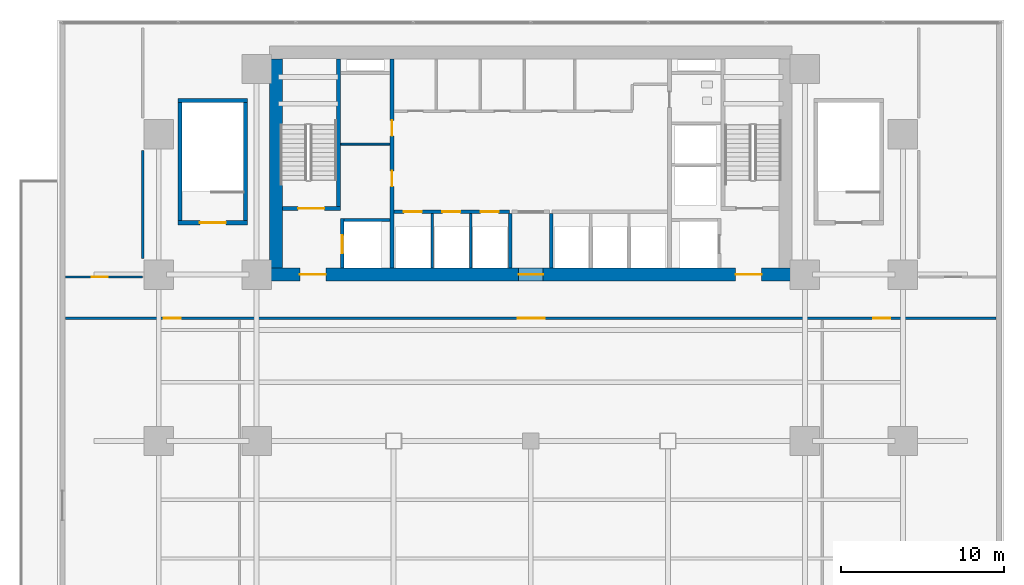
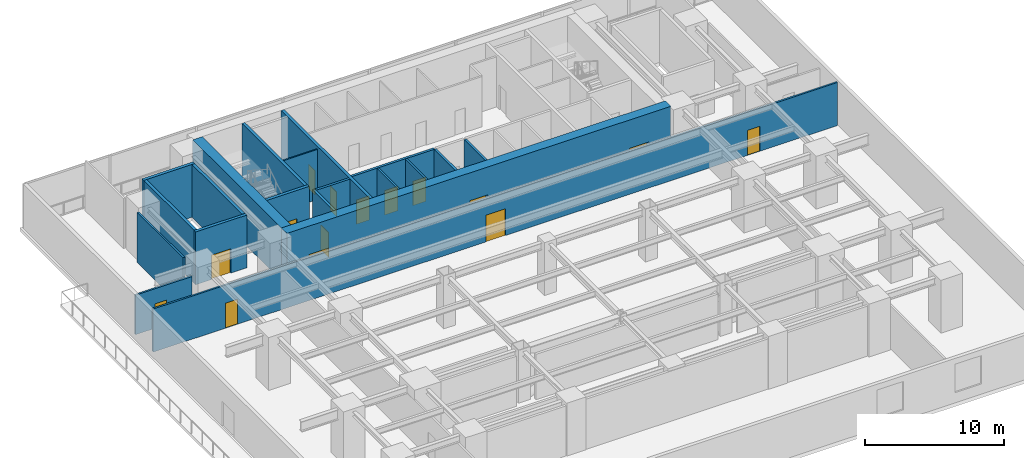
# One storey, part 9 of 15: 20 walls, 15 doors, 15 openings.
"""IFC4 building model written with IfcOpenShell, lengths in metres."""

from ifc_helpers import new_model, si_unit, direction, frame, frame_2d, origin, place, context, subcontext, project, spatial, rectangle, extrude, source, transform, mapped, material, layer, layer_set, type_object, element, fill, save


model = new_model("IFC4")

# Units and contexts
model_context = context("Model", 3, precision=1e-05, world=origin(), true_north=direction((0.0, 1.0)))
body_context = subcontext(model_context, "Body", "Model", "MODEL_VIEW")
ifc_project = project(units=[si_unit("LENGTHUNIT", "METRE"), si_unit("AREAUNIT", "SQUARE_METRE"), si_unit("VOLUMEUNIT", "CUBIC_METRE"), si_unit("PLANEANGLEUNIT", "RADIAN"), si_unit("MASSUNIT", "GRAM", prefix="KILO")], contexts=[model_context])

# Site, building, storey
site_placement = place(None, origin())
site = spatial("IfcSite", under=ifc_project, at=site_placement, CompositionType="ELEMENT")
building_placement = place(site_placement, origin())
building = spatial("IfcBuilding", under=site, at=building_placement, Name="Sumidabori Civic Tower", CompositionType="ELEMENT")
storey_placement = place(building_placement, frame((0.0, 0.0, 18.949951171875)))
storey = spatial("IfcBuildingStorey", under=building, at=storey_placement, Name="L04", CompositionType="ELEMENT", Elevation=18.949951171875)

# Wall, openings, doors
ifc_material_1 = material(Name="Concrete C60/75", Category="concrete")
ifc_layer_1 = layer(ifc_material_1, 0.800048828125, Name="Concrete C60/75")
ifc_layer_set_1 = layer_set([ifc_layer_1], Name="Concrete C60/75")
wall_type_1 = type_object("IfcWallType", Name="WL-CORE-800", PredefinedType="SHEAR", material=ifc_layer_set_1)
shared_shape_1 = source(origin(), body_context, "Body", "SweptSolid", [
    extrude(rectangle(XDim=32.0, YDim=0.800048828125, at=frame_2d((16.0, 0.0))), origin(), (0.0, 0.0, 1.0), 4.650146484375),
])
wall_1_placement = place(storey_placement, frame((-16.0, 10.199951171875, 0.0), z_axis=(0.0, 0.0, 1.0), x_axis=(1.0, 0.0, 0.0)))
wall_1 = element("IfcWall", 1, at=wall_1_placement, inside=storey, type_object=wall_type_1, Name="Core Shear Wall L04 S", PredefinedType="SHEAR", context=body_context, shape_type="MappedRepresentation", body=[
    mapped(shared_shape_1, transform((0.0, 0.0, 0.0), x_axis=(1.0, 0.0, 0.0), y_axis=(0.0, 1.0, 0.0), z_axis=(0.0, 0.0, 1.0), scale=1.0)),
])
opening_1_placement = place(wall_1_placement, frame((1.85009765625, 0.0, 0.0)))
opening_1 = element("IfcOpeningElement", 2, at=opening_1_placement, cuts=wall_1, Name="Opening DR-FD4", PredefinedType="OPENING", context=body_context, shape_type="SweptSolid", body=[
    extrude(rectangle(XDim=1.60009765625, YDim=2.14990234375, at=frame_2d((0.800048828125, 1.074951171875))), frame((0.0, 0.412109375, 0.0), z_axis=(0.0, -1.0, 0.0), x_axis=(1.0, 0.0, 0.0)), (0.0, 0.0, 1.0), 0.823974609375),
])
opening_2_placement = place(wall_1_placement, frame((28.550048828125, 0.0, 0.0)))
opening_2 = element("IfcOpeningElement", 3, at=opening_2_placement, cuts=wall_1, Name="Opening DR-FD4", PredefinedType="OPENING", context=body_context, shape_type="SweptSolid", body=[
    extrude(rectangle(XDim=1.60009765625, YDim=2.14990234375, at=frame_2d((0.800048828125, 1.074951171875))), frame((0.0, 0.412109375, 0.0), z_axis=(0.0, -1.0, 0.0), x_axis=(1.0, 0.0, 0.0)), (0.0, 0.0, 1.0), 0.823974609375),
])
opening_3_placement = place(wall_1_placement, frame((15.25, 0.0, 0.0)))
opening_3 = element("IfcOpeningElement", 4, at=opening_3_placement, cuts=wall_1, Name="Opening DR-FD3", PredefinedType="OPENING", context=body_context, shape_type="SweptSolid", body=[
    extrude(rectangle(XDim=1.5, YDim=2.199951171875, at=frame_2d((0.75, 1.10009765625))), frame((0.0, 0.412109375, 0.0), z_axis=(0.0, -1.0, 0.0), x_axis=(1.0, 0.0, 0.0)), (0.0, 0.0, 1.0), 0.823974609375),
])
ifc_material_2 = material(Name="Steel SN490", Category="steel")
door_type_1 = type_object("IfcDoorType", Name="DR-FD4", OperationType="DOUBLE_DOOR_SINGLE_SWING", PredefinedType="DOOR", material=ifc_material_2)
shared_shape_2 = source(origin(), body_context, "Body", "SweptSolid", [
    extrude(rectangle(XDim=1.60009765625, YDim=2.14990234375, at=frame_2d((0.800048828125, 1.074951171875))), frame((0.0, 0.02490234375, 0.0), z_axis=(0.0, -1.0, 0.0), x_axis=(1.0, 0.0, 0.0)), (0.0, 0.0, 1.0), 0.050048828125),
])
door_1_placement = place(opening_1_placement, origin())
door_1 = element("IfcDoor", 5, at=door_1_placement, inside=storey, type_object=door_type_1, Name="Door DR:L04:ELOB-W", OperationType="DOUBLE_DOOR_SINGLE_SWING", OverallHeight=2.14990234375, OverallWidth=1.60009765625, PredefinedType="DOOR", context=body_context, shape_type="MappedRepresentation", body=[
    mapped(shared_shape_2, transform((0.0, 0.0, 0.0), x_axis=(1.0, 0.0, 0.0), y_axis=(0.0, 1.0, 0.0), z_axis=(0.0, 0.0, 1.0), scale=1.0)),
])
fill(opening_1, door_1)
door_2_placement = place(opening_2_placement, origin())
door_2 = element("IfcDoor", 6, at=door_2_placement, inside=storey, type_object=door_type_1, Name="Door DR:L04:ELOB-E", OperationType="DOUBLE_DOOR_SINGLE_SWING", OverallHeight=2.14990234375, OverallWidth=1.60009765625, PredefinedType="DOOR", context=body_context, shape_type="MappedRepresentation", body=[
    mapped(shared_shape_2, transform((0.0, 0.0, 0.0), x_axis=(1.0, 0.0, 0.0), y_axis=(0.0, 1.0, 0.0), z_axis=(0.0, 0.0, 1.0), scale=1.0)),
])
fill(opening_2, door_2)
door_type_2 = type_object("IfcDoorType", Name="DR-FD-DBL", OperationType="DOUBLE_DOOR_SINGLE_SWING", PredefinedType="DOOR", material=ifc_material_2)
shared_shape_3 = source(origin(), body_context, "Body", "SweptSolid", [
    extrude(rectangle(XDim=1.5, YDim=2.199951171875, at=frame_2d((0.75, 1.10009765625))), frame((0.0, 0.02490234375, 0.0), z_axis=(0.0, -1.0, 0.0), x_axis=(1.0, 0.0, 0.0)), (0.0, 0.0, 1.0), 0.050048828125),
])
door_3_placement = place(opening_3_placement, origin())
door_3 = element("IfcDoor", 7, at=door_3_placement, inside=storey, type_object=door_type_2, Name="Door DR:L04:THROAT-OUT", OperationType="DOUBLE_DOOR_SINGLE_SWING", OverallHeight=2.199951171875, OverallWidth=1.5, PredefinedType="DOOR", context=body_context, shape_type="MappedRepresentation", body=[
    mapped(shared_shape_3, transform((0.0, 0.0, 0.0), x_axis=(1.0, 0.0, 0.0), y_axis=(0.0, 1.0, 0.0), z_axis=(0.0, 0.0, 1.0), scale=1.0)),
])
fill(opening_3, door_3)

# Wall
shared_shape_4 = source(origin(), body_context, "Body", "SweptSolid", [
    extrude(rectangle(XDim=12.7998046875, YDim=0.800048828125, at=frame_2d((6.39990234375, 0.0))), origin(), (0.0, 0.0, 1.0), 4.650146484375),
])
wall_2_placement = place(storey_placement, frame((-15.60009765625, 10.60009765625, 0.0), z_axis=(0.0, 0.0, 1.0), x_axis=(0.0, 1.0, 0.0)))
element("IfcWall", 8, at=wall_2_placement, inside=storey, type_object=wall_type_1, Name="Core Shear Wall L04 W", PredefinedType="SHEAR", context=body_context, shape_type="MappedRepresentation", body=[
    mapped(shared_shape_4, transform((0.0, 0.0, 0.0), x_axis=(1.0, 0.0, 0.0), y_axis=(0.0, 1.0, 0.0), z_axis=(0.0, 0.0, 1.0), scale=1.0)),
])

# Wall, openings, doors
ifc_material_3 = material(Name="Concrete C50/60", Category="concrete")
ifc_layer_2 = layer(ifc_material_3, 0.25, Name="Concrete C50/60")
ifc_layer_set_2 = layer_set([ifc_layer_2], Name="Concrete C50/60")
wall_type_2 = type_object("IfcWallType", Name="WL-SHAFT-250", PredefinedType="SHEAR", material=ifc_layer_set_2)
shared_shape_5 = source(origin(), body_context, "Body", "SweptSolid", [
    extrude(rectangle(XDim=12.7998046875, YDim=0.25, at=frame_2d((6.39990234375, 0.0))), origin(), (0.0, 0.0, 1.0), 4.650146484375),
])
wall_3_placement = place(storey_placement, frame((-8.5, 10.60009765625, 0.0), z_axis=(0.0, 0.0, 1.0), x_axis=(0.0, 1.0, 0.0)))
wall_3 = element("IfcWall", 9, at=wall_3_placement, inside=storey, type_object=wall_type_2, Name="Core Shear Wall L04 WEB-W", PredefinedType="SHEAR", context=body_context, shape_type="MappedRepresentation", body=[
    mapped(shared_shape_5, transform((0.0, 0.0, 0.0), x_axis=(1.0, 0.0, 0.0), y_axis=(0.0, 1.0, 0.0), z_axis=(0.0, 0.0, 1.0), scale=1.0)),
])
opening_4_placement = place(wall_3_placement, frame((5.0, 0.0, 0.0)))
opening_4 = element("IfcOpeningElement", 10, at=opening_4_placement, cuts=wall_3, Name="Opening DR-FD2", PredefinedType="OPENING", context=body_context, shape_type="SweptSolid", body=[
    extrude(rectangle(XDim=0.949951171875, YDim=2.14990234375, at=frame_2d((0.47509765625, 1.074951171875))), frame((0.0, 0.136962890625, 0.0), z_axis=(0.0, -1.0, 0.0), x_axis=(1.0, 0.0, 0.0)), (0.0, 0.0, 1.0), 0.27392578125),
])
opening_5_placement = place(wall_3_placement, frame((8.10009765625, 0.0, 0.0)))
opening_5 = element("IfcOpeningElement", 11, at=opening_5_placement, cuts=wall_3, Name="Opening DR-FD2", PredefinedType="OPENING", context=body_context, shape_type="SweptSolid", body=[
    extrude(rectangle(XDim=0.949951171875, YDim=2.14990234375, at=frame_2d((0.47509765625, 1.074951171875))), frame((0.0, 0.136962890625, 0.0), z_axis=(0.0, -1.0, 0.0), x_axis=(1.0, 0.0, 0.0)), (0.0, 0.0, 1.0), 0.27392578125),
])
door_type_3 = type_object("IfcDoorType", Name="DR-FD2", OperationType="NOTDEFINED", PredefinedType="DOOR", material=ifc_material_2)
shared_shape_6 = source(origin(), body_context, "Body", "SweptSolid", [
    extrude(rectangle(XDim=0.949951171875, YDim=2.14990234375, at=frame_2d((0.47509765625, 1.074951171875))), frame((0.0, 0.02490234375, 0.0), z_axis=(0.0, -1.0, 0.0), x_axis=(1.0, 0.0, 0.0)), (0.0, 0.0, 1.0), 0.050048828125),
])
door_4_placement = place(opening_4_placement, origin())
door_4 = element("IfcDoor", 12, at=door_4_placement, inside=storey, type_object=door_type_3, Name="Door DR:L04:CW-S1", OperationType="SINGLE_SWING_LEFT", OverallHeight=2.14990234375, OverallWidth=0.949951171875, PredefinedType="DOOR", context=body_context, shape_type="MappedRepresentation", body=[
    mapped(shared_shape_6, transform((0.0, 0.0, 0.0), x_axis=(1.0, 0.0, 0.0), y_axis=(0.0, 1.0, 0.0), z_axis=(0.0, 0.0, 1.0), scale=1.0)),
])
fill(opening_4, door_4)
door_5_placement = place(opening_5_placement, origin())
door_5 = element("IfcDoor", 13, at=door_5_placement, inside=storey, type_object=door_type_3, Name="Door DR:L04:CW-S2", OperationType="SINGLE_SWING_RIGHT", OverallHeight=2.14990234375, OverallWidth=0.949951171875, PredefinedType="DOOR", context=body_context, shape_type="MappedRepresentation", body=[
    mapped(shared_shape_6, transform((0.0, 0.0, 0.0), x_axis=(1.0, 0.0, 0.0), y_axis=(0.0, 1.0, 0.0), z_axis=(0.0, 0.0, 1.0), scale=1.0)),
])
fill(opening_5, door_5)

# Wall, opening, door
shared_shape_7 = source(origin(), body_context, "Body", "SweptSolid", [
    extrude(rectangle(XDim=3.554931640625, YDim=0.25, at=frame_2d((1.77734375, 0.0))), origin(), (0.0, 0.0, 1.0), 4.650146484375),
])
wall_4_placement = place(storey_placement, frame((-15.199951171875, 14.25, 0.0), z_axis=(0.0, 0.0, 1.0), x_axis=(1.0, 0.0, 0.0)))
wall_4 = element("IfcWall", 14, at=wall_4_placement, inside=storey, type_object=wall_type_2, Name="Core Shear Wall L04 ST1-S", PredefinedType="SHEAR", context=body_context, shape_type="MappedRepresentation", body=[
    mapped(shared_shape_7, transform((0.0, 0.0, 0.0), x_axis=(1.0, 0.0, 0.0), y_axis=(0.0, 1.0, 0.0), z_axis=(0.0, 0.0, 1.0), scale=1.0)),
])
opening_6_placement = place(wall_4_placement, frame((0.949951171875, 0.0, 0.0)))
opening_6 = element("IfcOpeningElement", 15, at=opening_6_placement, cuts=wall_4, Name="Opening DR-FD4", PredefinedType="OPENING", context=body_context, shape_type="SweptSolid", body=[
    extrude(rectangle(XDim=1.60009765625, YDim=2.14990234375, at=frame_2d((0.800048828125, 1.074951171875))), frame((0.0, 0.136962890625, 0.0), z_axis=(0.0, -1.0, 0.0), x_axis=(1.0, 0.0, 0.0)), (0.0, 0.0, 1.0), 0.27392578125),
])
door_6_placement = place(opening_6_placement, origin())
door_6 = element("IfcDoor", 16, at=door_6_placement, inside=storey, type_object=door_type_1, Name="Door DR:L04:ST1", OperationType="DOUBLE_DOOR_SINGLE_SWING", OverallHeight=2.14990234375, OverallWidth=1.60009765625, PredefinedType="DOOR", context=body_context, shape_type="MappedRepresentation", body=[
    mapped(shared_shape_2, transform((0.0, 0.0, 0.0), x_axis=(1.0, 0.0, 0.0), y_axis=(0.0, 1.0, 0.0), z_axis=(0.0, 0.0, 1.0), scale=1.0)),
])
fill(opening_6, door_6)

# Wall
shared_shape_8 = source(origin(), body_context, "Body", "SweptSolid", [
    extrude(rectangle(XDim=9.02490234375, YDim=0.25, at=frame_2d((4.512451171875, 0.0))), origin(), (0.0, 0.0, 1.0), 4.650146484375),
])
wall_5_placement = place(storey_placement, frame((-11.77001953125, 14.375, 0.0), z_axis=(0.0, 0.0, 1.0), x_axis=(0.0, 1.0, 0.0)))
element("IfcWall", 17, at=wall_5_placement, inside=storey, type_object=wall_type_2, Name="Core Shear Wall L04 ST1-E", PredefinedType="SHEAR", context=body_context, shape_type="MappedRepresentation", body=[
    mapped(shared_shape_8, transform((0.0, 0.0, 0.0), x_axis=(1.0, 0.0, 0.0), y_axis=(0.0, 1.0, 0.0), z_axis=(0.0, 0.0, 1.0), scale=1.0)),
])

# Wall, opening, door
ifc_layer_3 = layer(ifc_material_3, 0.199951171875, Name="Concrete C50/60")
ifc_layer_set_3 = layer_set([ifc_layer_3], Name="Concrete C50/60")
wall_type_3 = type_object("IfcWallType", Name="WL-SHAFT-200", PredefinedType="SHEAR", material=ifc_layer_set_3)
shared_shape_9 = source(origin(), body_context, "Body", "SweptSolid", [
    extrude(rectangle(XDim=3.0498046875, YDim=0.199951171875, at=frame_2d((1.52490234375, 0.0))), origin(), (0.0, 0.0, 1.0), 4.650146484375),
])
wall_6_placement = place(storey_placement, frame((-11.550048828125, 10.60009765625, 0.0), z_axis=(0.0, 0.0, 1.0), x_axis=(0.0, 1.0, 0.0)))
wall_6 = element("IfcWall", 18, at=wall_6_placement, inside=storey, type_object=wall_type_3, Name="Core Shear Wall L04 EL1-W", PredefinedType="SHEAR", context=body_context, shape_type="MappedRepresentation", body=[
    mapped(shared_shape_9, transform((0.0, 0.0, 0.0), x_axis=(1.0, 0.0, 0.0), y_axis=(0.0, 1.0, 0.0), z_axis=(0.0, 0.0, 1.0), scale=1.0)),
])
opening_7_placement = place(wall_6_placement, frame((0.89990234375, 0.0, 0.0)))
opening_7 = element("IfcOpeningElement", 19, at=opening_7_placement, cuts=wall_6, Name="Opening LD-2", PredefinedType="OPENING", context=body_context, shape_type="SweptSolid", body=[
    extrude(rectangle(XDim=1.10009765625, YDim=2.14990234375, at=frame_2d((0.550048828125, 1.074951171875))), frame((0.0, 0.11181640625, 0.0), z_axis=(0.0, -1.0, 0.0), x_axis=(1.0, 0.0, 0.0)), (0.0, 0.0, 1.0), 0.223876953125),
])
ifc_material_4 = material(Name="Stainless Steel Hairline Finish", Category="steel")
door_type_4 = type_object("IfcDoorType", Name="DR-LD2", OperationType="DOUBLE_DOOR_SLIDING", PredefinedType="DOOR", material=ifc_material_4)
shared_shape_10 = source(origin(), body_context, "Body", "SweptSolid", [
    extrude(rectangle(XDim=1.10009765625, YDim=2.14990234375, at=frame_2d((0.550048828125, 1.074951171875))), frame((0.0, 0.02490234375, 0.0), z_axis=(0.0, -1.0, 0.0), x_axis=(1.0, 0.0, 0.0)), (0.0, 0.0, 1.0), 0.050048828125),
])
door_7_placement = place(opening_7_placement, origin())
door_7 = element("IfcDoor", 20, at=door_7_placement, inside=storey, type_object=door_type_4, Name="Door DR:L04:LD-EL1", OperationType="DOUBLE_DOOR_SLIDING", OverallHeight=2.14990234375, OverallWidth=1.10009765625, PredefinedType="DOOR", context=body_context, shape_type="MappedRepresentation", body=[
    mapped(shared_shape_10, transform((0.0, 0.0, 0.0), x_axis=(1.0, 0.0, 0.0), y_axis=(0.0, 1.0, 0.0), z_axis=(0.0, 0.0, 1.0), scale=1.0)),
])
fill(opening_7, door_7)

# Walls
shared_shape_11 = source(origin(), body_context, "Body", "SweptSolid", [
    extrude(rectangle(XDim=2.824951171875, YDim=0.199951171875, at=frame_2d((1.41259765625, 0.0))), origin(), (0.0, 0.0, 1.0), 4.650146484375),
])
wall_7_placement = place(storey_placement, frame((-11.449951171875, 13.550048828125, 0.0), z_axis=(0.0, 0.0, 1.0), x_axis=(1.0, 0.0, 0.0)))
element("IfcWall", 21, at=wall_7_placement, inside=storey, type_object=wall_type_3, Name="Core Shear Wall L04 EL1-N", PredefinedType="SHEAR", context=body_context, shape_type="MappedRepresentation", body=[
    mapped(shared_shape_11, transform((0.0, 0.0, 0.0), x_axis=(1.0, 0.0, 0.0), y_axis=(0.0, 1.0, 0.0), z_axis=(0.0, 0.0, 1.0), scale=1.0)),
])
shared_shape_12 = source(origin(), body_context, "Body", "SweptSolid", [
    extrude(rectangle(XDim=4.260009765625, YDim=0.25, at=frame_2d((2.1298828125, 0.0))), origin(), (0.0, 0.0, 1.0), 4.650146484375),
])
wall_8_placement = place(storey_placement, frame((-21.610107421875, 20.864990234375, 0.0), z_axis=(0.0, 0.0, 1.0), x_axis=(1.0, 0.0, 0.0)))
element("IfcWall", 22, at=wall_8_placement, inside=storey, type_object=wall_type_2, Name="Core Shear Wall L04 ST3-N", PredefinedType="SHEAR", context=body_context, shape_type="MappedRepresentation", body=[
    mapped(shared_shape_12, transform((0.0, 0.0, 0.0), x_axis=(1.0, 0.0, 0.0), y_axis=(0.0, 1.0, 0.0), z_axis=(0.0, 0.0, 1.0), scale=1.0)),
])

# Wall, opening, door
wall_9_placement = place(storey_placement, frame((-21.610107421875, 13.375, 0.0), z_axis=(0.0, 0.0, 1.0), x_axis=(1.0, 0.0, 0.0)))
wall_9 = element("IfcWall", 23, at=wall_9_placement, inside=storey, type_object=wall_type_2, Name="Core Shear Wall L04 ST3-S", PredefinedType="SHEAR", context=body_context, shape_type="MappedRepresentation", body=[
    mapped(shared_shape_12, transform((0.0, 0.0, 0.0), x_axis=(1.0, 0.0, 0.0), y_axis=(0.0, 1.0, 0.0), z_axis=(0.0, 0.0, 1.0), scale=1.0)),
])
opening_8_placement = place(wall_9_placement, frame((1.330078125, 0.0, 0.0)))
opening_8 = element("IfcOpeningElement", 24, at=opening_8_placement, cuts=wall_9, Name="Opening DR-FD4", PredefinedType="OPENING", context=body_context, shape_type="SweptSolid", body=[
    extrude(rectangle(XDim=1.60009765625, YDim=2.14990234375, at=frame_2d((0.800048828125, 1.074951171875))), frame((0.0, 0.136962890625, 0.0), z_axis=(0.0, -1.0, 0.0), x_axis=(1.0, 0.0, 0.0)), (0.0, 0.0, 1.0), 0.27392578125),
])
door_8_placement = place(opening_8_placement, origin())
door_8 = element("IfcDoor", 25, at=door_8_placement, inside=storey, type_object=door_type_1, Name="Door DR:L04:ST3", OperationType="DOUBLE_DOOR_SINGLE_SWING", OverallHeight=2.14990234375, OverallWidth=1.60009765625, PredefinedType="DOOR", context=body_context, shape_type="MappedRepresentation", body=[
    mapped(shared_shape_2, transform((0.0, 0.0, 0.0), x_axis=(1.0, 0.0, 0.0), y_axis=(0.0, 1.0, 0.0), z_axis=(0.0, 0.0, 1.0), scale=1.0)),
])
fill(opening_8, door_8)

# Walls
shared_shape_13 = source(origin(), body_context, "Body", "SweptSolid", [
    extrude(rectangle(XDim=7.230224609375, YDim=0.25, at=frame_2d((3.615234375, 0.0))), origin(), (0.0, 0.0, 1.0), 4.650146484375),
])
for number, where, z_axis, x_axis, name in (
    (26, (-21.485107421875, 13.5048828125, 0.0), (0.0, 0.0, 1.0), (0.0, 1.0, 0.0), "Core Shear Wall L04 ST3-W"),
    (27, (-17.47509765625, 13.5048828125, 0.0), (0.0, 0.0, 1.0), (0.0, 1.0, 0.0), "Core Shear Wall L04 ST3-E"),
):
    element("IfcWall", number, at=place(storey_placement, frame(where, z_axis=z_axis, x_axis=x_axis)), inside=storey, type_object=wall_type_2, Name=name, PredefinedType="SHEAR", context=body_context, shape_type="MappedRepresentation", body=[
        mapped(shared_shape_13, transform((0.0, 0.0, 0.0), x_axis=(1.0, 0.0, 0.0), y_axis=(0.0, 1.0, 0.0), z_axis=(0.0, 0.0, 1.0), scale=1.0)),
    ])
ifc_material_5 = material(Name="Gypsum Plasterboard Acoustic Partition")
ifc_layer_4 = layer(ifc_material_5, 0.1201171875, Name="Gypsum Plasterboard Acoustic Partition")
ifc_layer_set_4 = layer_set([ifc_layer_4], Name="Gypsum Plasterboard Acoustic Partition")
wall_type_4 = type_object("IfcWallType", Name="WL-PART-120", PredefinedType="PARTITIONING", material=ifc_layer_set_4)
shared_shape_14 = source(origin(), body_context, "Body", "SweptSolid", [
    extrude(rectangle(XDim=3.010009765625, YDim=0.1201171875, at=frame_2d((1.5048828125, 0.0))), origin(), (0.0, 0.0, 1.0), 4.41015625),
])
wall_10_placement = place(storey_placement, frame((-11.639892578125, 18.199951171875, 0.0), z_axis=(0.0, 0.0, 1.0), x_axis=(1.0, 0.0, 0.0)))
element("IfcWall", 28, at=wall_10_placement, inside=storey, type_object=wall_type_4, Name="Interior Partition WL:L04:CW-MID", PredefinedType="PARTITIONING", context=body_context, shape_type="MappedRepresentation", body=[
    mapped(shared_shape_14, transform((0.0, 0.0, 0.0), x_axis=(1.0, 0.0, 0.0), y_axis=(0.0, 1.0, 0.0), z_axis=(0.0, 0.0, 1.0), scale=1.0)),
])

# Wall, openings, doors
ifc_material_6 = material(Name="Gypsum Plasterboard Fire Partition")
ifc_layer_5 = layer(ifc_material_6, 0.199951171875, Name="Gypsum Plasterboard Fire Partition")
ifc_layer_set_5 = layer_set([ifc_layer_5], Name="Gypsum Plasterboard Fire Partition")
wall_type_5 = type_object("IfcWallType", Name="WL-PART-FIRE", PredefinedType="PARTITIONING", material=ifc_layer_set_5)
shared_shape_15 = source(origin(), body_context, "Body", "SweptSolid", [
    extrude(rectangle(XDim=7.070068359375, YDim=0.199951171875, at=frame_2d((3.53515625, 0.0))), origin(), (0.0, 0.0, 1.0), 4.41015625),
])
wall_11_placement = place(storey_placement, frame((-8.3701171875, 14.050048828125, 0.0), z_axis=(0.0, 0.0, 1.0), x_axis=(1.0, 0.0, 0.0)))
wall_11 = element("IfcWall", 29, at=wall_11_placement, inside=storey, type_object=wall_type_5, Name="Interior Partition WL:L04:CBAND-SW", PredefinedType="PARTITIONING", context=body_context, shape_type="MappedRepresentation", body=[
    mapped(shared_shape_15, transform((0.0, 0.0, 0.0), x_axis=(1.0, 0.0, 0.0), y_axis=(0.0, 1.0, 0.0), z_axis=(0.0, 0.0, 1.0), scale=1.0)),
])
opening_9_placement = place(wall_11_placement, frame((0.60009765625, 0.0, 0.0)))
opening_9 = element("IfcOpeningElement", 30, at=opening_9_placement, cuts=wall_11, Name="Opening LD-1", PredefinedType="OPENING", context=body_context, shape_type="SweptSolid", body=[
    extrude(rectangle(XDim=1.10009765625, YDim=2.14990234375, at=frame_2d((0.550048828125, 1.074951171875))), frame((0.0, 0.11181640625, 0.0), z_axis=(0.0, -1.0, 0.0), x_axis=(1.0, 0.0, 0.0)), (0.0, 0.0, 1.0), 0.223876953125),
])
opening_10_placement = place(wall_11_placement, frame((2.949951171875, 0.0, 0.0)))
opening_10 = element("IfcOpeningElement", 31, at=opening_10_placement, cuts=wall_11, Name="Opening LD-1", PredefinedType="OPENING", context=body_context, shape_type="SweptSolid", body=[
    extrude(rectangle(XDim=1.10009765625, YDim=2.14990234375, at=frame_2d((0.550048828125, 1.074951171875))), frame((0.0, 0.11181640625, 0.0), z_axis=(0.0, -1.0, 0.0), x_axis=(1.0, 0.0, 0.0)), (0.0, 0.0, 1.0), 0.223876953125),
])
opening_11_placement = place(wall_11_placement, frame((5.300048828125, 0.0, 0.0)))
opening_11 = element("IfcOpeningElement", 32, at=opening_11_placement, cuts=wall_11, Name="Opening LD-1", PredefinedType="OPENING", context=body_context, shape_type="SweptSolid", body=[
    extrude(rectangle(XDim=1.10009765625, YDim=2.14990234375, at=frame_2d((0.550048828125, 1.074951171875))), frame((0.0, 0.11181640625, 0.0), z_axis=(0.0, -1.0, 0.0), x_axis=(1.0, 0.0, 0.0)), (0.0, 0.0, 1.0), 0.223876953125),
])
door_type_5 = type_object("IfcDoorType", Name="DR-LD1", OperationType="DOUBLE_DOOR_SLIDING", PredefinedType="DOOR", material=ifc_material_4)
door_9_placement = place(opening_9_placement, origin())
door_9 = element("IfcDoor", 33, at=door_9_placement, inside=storey, type_object=door_type_5, Name="Door DR:L04:LD-PLL1", OperationType="DOUBLE_DOOR_SLIDING", OverallHeight=2.14990234375, OverallWidth=1.10009765625, PredefinedType="DOOR", context=body_context, shape_type="MappedRepresentation", body=[
    mapped(shared_shape_10, transform((0.0, 0.0, 0.0), x_axis=(1.0, 0.0, 0.0), y_axis=(0.0, 1.0, 0.0), z_axis=(0.0, 0.0, 1.0), scale=1.0)),
])
fill(opening_9, door_9)
door_10_placement = place(opening_10_placement, origin())
door_10 = element("IfcDoor", 34, at=door_10_placement, inside=storey, type_object=door_type_5, Name="Door DR:L04:LD-PLL2", OperationType="DOUBLE_DOOR_SLIDING", OverallHeight=2.14990234375, OverallWidth=1.10009765625, PredefinedType="DOOR", context=body_context, shape_type="MappedRepresentation", body=[
    mapped(shared_shape_10, transform((0.0, 0.0, 0.0), x_axis=(1.0, 0.0, 0.0), y_axis=(0.0, 1.0, 0.0), z_axis=(0.0, 0.0, 1.0), scale=1.0)),
])
fill(opening_10, door_10)
door_11_placement = place(opening_11_placement, origin())
door_11 = element("IfcDoor", 35, at=door_11_placement, inside=storey, type_object=door_type_5, Name="Door DR:L04:LD-PLL3", OperationType="DOUBLE_DOOR_SLIDING", OverallHeight=2.14990234375, OverallWidth=1.10009765625, PredefinedType="DOOR", context=body_context, shape_type="MappedRepresentation", body=[
    mapped(shared_shape_10, transform((0.0, 0.0, 0.0), x_axis=(1.0, 0.0, 0.0), y_axis=(0.0, 1.0, 0.0), z_axis=(0.0, 0.0, 1.0), scale=1.0)),
])
fill(opening_11, door_11)

# Walls
shared_shape_16 = source(origin(), body_context, "Body", "SweptSolid", [
    extrude(rectangle(XDim=3.33984375, YDim=0.199951171875, at=frame_2d((1.669921875, 0.0))), origin(), (0.0, 0.0, 1.0), 4.41015625),
])
for number, where, z_axis, x_axis, name in (
    (36, (-1.25, 10.60009765625, 0.0), (0.0, 0.0, 1.0), (0.0, 1.0, 0.0), "Interior Partition WL:L04:THROAT-W"),
    (37, (1.25, 10.60009765625, 0.0), (0.0, 0.0, 1.0), (0.0, 1.0, 0.0), "Interior Partition WL:L04:THROAT-E"),
):
    element("IfcWall", number, at=place(storey_placement, frame(where, z_axis=z_axis, x_axis=x_axis)), inside=storey, type_object=wall_type_5, Name=name, PredefinedType="PARTITIONING", context=body_context, shape_type="MappedRepresentation", body=[
        mapped(shared_shape_16, transform((0.0, 0.0, 0.0), x_axis=(1.0, 0.0, 0.0), y_axis=(0.0, 1.0, 0.0), z_axis=(0.0, 0.0, 1.0), scale=1.0)),
    ])
ifc_layer_6 = layer(ifc_material_5, 0.14990234375, Name="Gypsum Plasterboard Acoustic Partition")
ifc_layer_set_6 = layer_set([ifc_layer_6], Name="Gypsum Plasterboard Acoustic Partition")
wall_type_6 = type_object("IfcWallType", Name="WL-PART-150", PredefinedType="PARTITIONING", material=ifc_layer_set_6)
shared_shape_17 = source(origin(), body_context, "Body", "SweptSolid", [
    extrude(rectangle(XDim=3.33984375, YDim=0.14990234375, at=frame_2d((1.669921875, 0.0))), origin(), (0.0, 0.0, 1.0), 4.41015625),
])
for number, where, z_axis, x_axis, name in (
    (38, (-6.030029296875, 10.60009765625, 0.0), (0.0, 0.0, 1.0), (0.0, 1.0, 0.0), "Interior Partition WL:L04:DIV-PLL1"),
    (39, (-3.679931640625, 10.60009765625, 0.0), (0.0, 0.0, 1.0), (0.0, 1.0, 0.0), "Interior Partition WL:L04:DIV-PLL2"),
):
    element("IfcWall", number, at=place(storey_placement, frame(where, z_axis=z_axis, x_axis=x_axis)), inside=storey, type_object=wall_type_6, Name=name, PredefinedType="PARTITIONING", context=body_context, shape_type="MappedRepresentation", body=[
        mapped(shared_shape_17, transform((0.0, 0.0, 0.0), x_axis=(1.0, 0.0, 0.0), y_axis=(0.0, 1.0, 0.0), z_axis=(0.0, 0.0, 1.0), scale=1.0)),
    ])

# Wall, openings, doors
shared_shape_18 = source(origin(), body_context, "Body", "SweptSolid", [
    extrude(rectangle(XDim=57.0, YDim=0.14990234375, at=frame_2d((28.5, 0.0))), origin(), (0.0, 0.0, 1.0), 3.795166015625),
])
wall_12_placement = place(storey_placement, frame((-28.5, 7.52001953125, 0.0), z_axis=(0.0, 0.0, 1.0), x_axis=(1.0, 0.0, 0.0)))
wall_12 = element("IfcWall", 40, at=wall_12_placement, inside=storey, type_object=wall_type_6, Name="Interior Partition WL:L04:CORR-S", PredefinedType="PARTITIONING", context=body_context, shape_type="MappedRepresentation", body=[
    mapped(shared_shape_18, transform((0.0, 0.0, 0.0), x_axis=(1.0, 0.0, 0.0), y_axis=(0.0, 1.0, 0.0), z_axis=(0.0, 0.0, 1.0), scale=1.0)),
])
opening_12_placement = place(wall_12_placement, frame((6.0, 0.0, 0.0)))
opening_12 = element("IfcOpeningElement", 41, at=opening_12_placement, cuts=wall_12, Name="Opening DR-4", PredefinedType="OPENING", context=body_context, shape_type="SweptSolid", body=[
    extrude(rectangle(XDim=1.0400390625, YDim=2.199951171875, at=frame_2d((0.52001953125, 1.10009765625))), frame((0.0, 0.0869140625, 0.0), z_axis=(0.0, -1.0, 0.0), x_axis=(1.0, 0.0, 0.0)), (0.0, 0.0, 1.0), 0.173828125),
])
opening_13_placement = place(wall_12_placement, frame((27.699951171875, 0.0, 0.0)))
opening_13 = element("IfcOpeningElement", 42, at=opening_13_placement, cuts=wall_12, Name="Opening DR-6", PredefinedType="OPENING", context=body_context, shape_type="SweptSolid", body=[
    extrude(rectangle(XDim=1.64990234375, YDim=2.35009765625, at=frame_2d((0.824951171875, 1.175048828125))), frame((0.0, 0.0869140625, 0.0), z_axis=(0.0, -1.0, 0.0), x_axis=(1.0, 0.0, 0.0)), (0.0, 0.0, 1.0), 0.173828125),
])
opening_14_placement = place(wall_12_placement, frame((49.5, 0.0, 0.0)))
opening_14 = element("IfcOpeningElement", 43, at=opening_14_placement, cuts=wall_12, Name="Opening DR-4", PredefinedType="OPENING", context=body_context, shape_type="SweptSolid", body=[
    extrude(rectangle(XDim=1.0400390625, YDim=2.199951171875, at=frame_2d((0.52001953125, 1.10009765625))), frame((0.0, 0.0869140625, 0.0), z_axis=(0.0, -1.0, 0.0), x_axis=(1.0, 0.0, 0.0)), (0.0, 0.0, 1.0), 0.173828125),
])
ifc_material_7 = material(Name="Anodised Bronze Aluminium AW-6063-T6", Category="aluminium")
door_type_6 = type_object("IfcDoorType", Name="DR-DBL-1650", OperationType="DOUBLE_DOOR_SINGLE_SWING", PredefinedType="DOOR", material=ifc_material_7)
shared_shape_19 = source(origin(), body_context, "Body", "SweptSolid", [
    extrude(rectangle(XDim=1.64990234375, YDim=2.35009765625, at=frame_2d((0.824951171875, 1.175048828125))), frame((0.0, 0.02490234375, 0.0), z_axis=(0.0, -1.0, 0.0), x_axis=(1.0, 0.0, 0.0)), (0.0, 0.0, 1.0), 0.050048828125),
])
door_12_placement = place(opening_13_placement, origin())
door_12 = element("IfcDoor", 44, at=door_12_placement, inside=storey, type_object=door_type_6, Name="Door DR:L04:PD-2", OperationType="DOUBLE_DOOR_SINGLE_SWING", OverallHeight=2.35009765625, OverallWidth=1.64990234375, PredefinedType="DOOR", context=body_context, shape_type="MappedRepresentation", body=[
    mapped(shared_shape_19, transform((0.0, 0.0, 0.0), x_axis=(1.0, 0.0, 0.0), y_axis=(0.0, 1.0, 0.0), z_axis=(0.0, 0.0, 1.0), scale=1.0)),
])
fill(opening_13, door_12)
ifc_material_8 = material(Name="Japanese Hinoki Timber", Category="wood")
door_type_7 = type_object("IfcDoorType", Name="DR-INT-1040", OperationType="NOTDEFINED", PredefinedType="DOOR", material=ifc_material_8)
shared_shape_20 = source(origin(), body_context, "Body", "SweptSolid", [
    extrude(rectangle(XDim=1.0400390625, YDim=2.199951171875, at=frame_2d((0.52001953125, 1.10009765625))), frame((0.0, 0.02490234375, 0.0), z_axis=(0.0, -1.0, 0.0), x_axis=(1.0, 0.0, 0.0)), (0.0, 0.0, 1.0), 0.050048828125),
])
door_13_placement = place(opening_12_placement, origin())
door_13 = element("IfcDoor", 45, at=door_13_placement, inside=storey, type_object=door_type_7, Name="Door DR:L04:PD-1", OperationType="SINGLE_SWING_LEFT", OverallHeight=2.199951171875, OverallWidth=1.0400390625, PredefinedType="DOOR", context=body_context, shape_type="MappedRepresentation", body=[
    mapped(shared_shape_20, transform((0.0, 0.0, 0.0), x_axis=(1.0, 0.0, 0.0), y_axis=(0.0, 1.0, 0.0), z_axis=(0.0, 0.0, 1.0), scale=1.0)),
])
fill(opening_12, door_13)
door_14_placement = place(opening_14_placement, origin())
door_14 = element("IfcDoor", 46, at=door_14_placement, inside=storey, type_object=door_type_7, Name="Door DR:L04:PD-3", OperationType="SINGLE_SWING_RIGHT", OverallHeight=2.199951171875, OverallWidth=1.0400390625, PredefinedType="DOOR", context=body_context, shape_type="MappedRepresentation", body=[
    mapped(shared_shape_20, transform((0.0, 0.0, 0.0), x_axis=(1.0, 0.0, 0.0), y_axis=(0.0, 1.0, 0.0), z_axis=(0.0, 0.0, 1.0), scale=1.0)),
])
fill(opening_14, door_14)

# Wall, opening, door
shared_shape_21 = source(origin(), body_context, "Body", "SweptSolid", [
    extrude(rectangle(XDim=4.699951171875, YDim=0.14990234375, at=frame_2d((2.35009765625, 0.0))), origin(), (0.0, 0.0, 1.0), 3.485107421875),
])
wall_13_placement = place(storey_placement, frame((-28.5, 10.050048828125, 0.0), z_axis=(0.0, 0.0, 1.0), x_axis=(1.0, 0.0, 0.0)))
wall_13 = element("IfcWall", 47, at=wall_13_placement, inside=storey, type_object=wall_type_6, Name="Interior Partition WL:L04:CORR-NW", PredefinedType="PARTITIONING", context=body_context, shape_type="MappedRepresentation", body=[
    mapped(shared_shape_21, transform((0.0, 0.0, 0.0), x_axis=(1.0, 0.0, 0.0), y_axis=(0.0, 1.0, 0.0), z_axis=(0.0, 0.0, 1.0), scale=1.0)),
])
opening_15_placement = place(wall_13_placement, frame((1.60009765625, 0.0, 0.0)))
opening_15 = element("IfcOpeningElement", 48, at=opening_15_placement, cuts=wall_13, Name="Opening DR-3", PredefinedType="OPENING", context=body_context, shape_type="SweptSolid", body=[
    extrude(rectangle(XDim=0.97998046875, YDim=2.14990234375, at=frame_2d((0.489990234375, 1.074951171875))), frame((0.0, 0.0869140625, 0.0), z_axis=(0.0, -1.0, 0.0), x_axis=(1.0, 0.0, 0.0)), (0.0, 0.0, 1.0), 0.173828125),
])
door_type_8 = type_object("IfcDoorType", Name="DR-INT-980", OperationType="NOTDEFINED", PredefinedType="DOOR", material=ifc_material_8)
shared_shape_22 = source(origin(), body_context, "Body", "SweptSolid", [
    extrude(rectangle(XDim=0.97998046875, YDim=2.14990234375, at=frame_2d((0.489990234375, 1.074951171875))), frame((0.0, 0.02490234375, 0.0), z_axis=(0.0, -1.0, 0.0), x_axis=(1.0, 0.0, 0.0)), (0.0, 0.0, 1.0), 0.050048828125),
])
door_15_placement = place(opening_15_placement, origin())
door_15 = element("IfcDoor", 49, at=door_15_placement, inside=storey, type_object=door_type_8, Name="Door DR:L04:PD-NW", OperationType="SINGLE_SWING_LEFT", OverallHeight=2.14990234375, OverallWidth=0.97998046875, PredefinedType="DOOR", context=body_context, shape_type="MappedRepresentation", body=[
    mapped(shared_shape_22, transform((0.0, 0.0, 0.0), x_axis=(1.0, 0.0, 0.0), y_axis=(0.0, 1.0, 0.0), z_axis=(0.0, 0.0, 1.0), scale=1.0)),
])
fill(opening_15, door_15)

# Wall
shared_shape_23 = source(origin(), body_context, "Body", "SweptSolid", [
    extrude(rectangle(XDim=6.60009765625, YDim=0.14990234375, at=frame_2d((3.300048828125, 0.0))), origin(), (0.0, 0.0, 1.0), 4.41015625),
])
wall_14_placement = place(storey_placement, frame((-23.780029296875, 11.199951171875, 0.0), z_axis=(0.0, 0.0, 1.0), x_axis=(0.0, 1.0, 0.0)))
element("IfcWall", 50, at=wall_14_placement, inside=storey, type_object=wall_type_6, Name="Interior Partition WL:L04:NW-E1", PredefinedType="PARTITIONING", context=body_context, shape_type="MappedRepresentation", body=[
    mapped(shared_shape_23, transform((0.0, 0.0, 0.0), x_axis=(1.0, 0.0, 0.0), y_axis=(0.0, 1.0, 0.0), z_axis=(0.0, 0.0, 1.0), scale=1.0)),
])

save(model, "model.ifc")
